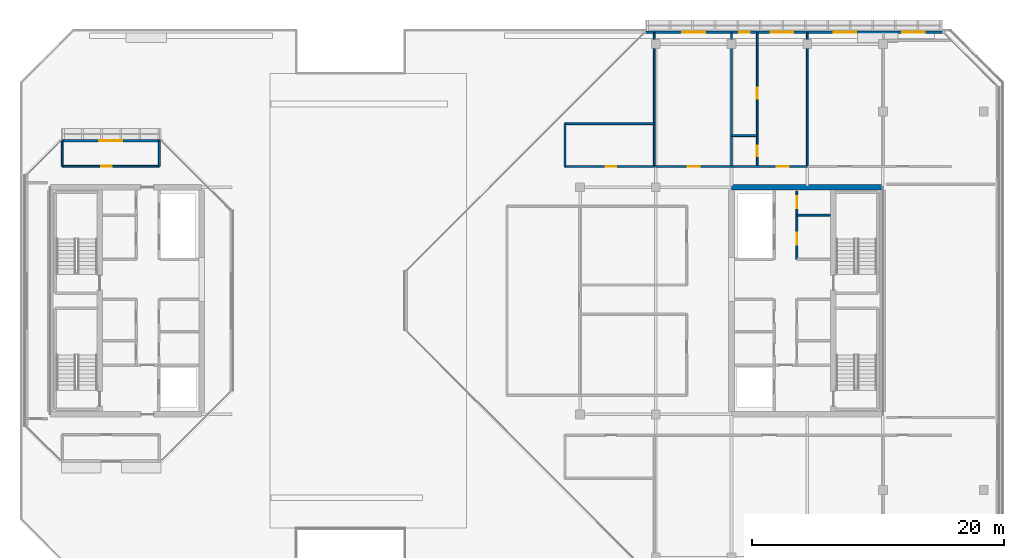
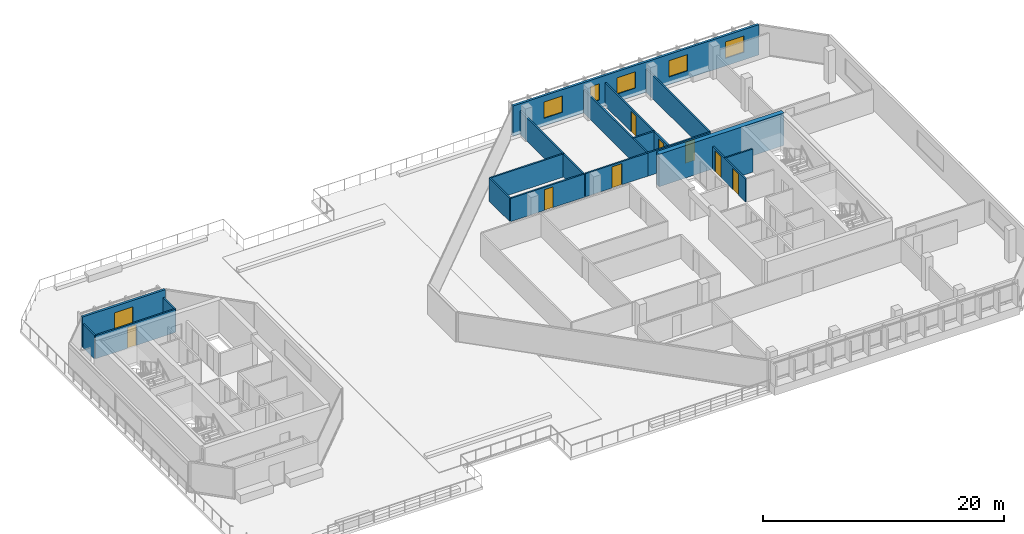
# One storey, part 23 of 30: 18 walls, 8 doors, 6 windows, 14 openings.
"""IFC4 building model written with IfcOpenShell, lengths in metres."""

from ifc_helpers import new_model, si_unit, direction, frame, frame_2d, origin, place, context, subcontext, project, spatial, rectangle, extrude, material, layer, layer_set, type_object, element, fill, save


model = new_model("IFC4")

# Units and contexts
model_context = context("Model", 3, precision=1e-05, world=origin(), true_north=direction((0.0, 1.0)))
body_context = subcontext(model_context, "Body", "Model", "MODEL_VIEW")
ifc_project = project(units=[si_unit("LENGTHUNIT", "METRE"), si_unit("AREAUNIT", "SQUARE_METRE"), si_unit("VOLUMEUNIT", "CUBIC_METRE"), si_unit("PLANEANGLEUNIT", "RADIAN"), si_unit("MASSUNIT", "GRAM", prefix="KILO")], contexts=[model_context])

# Site, building, storey
site_placement = place(None, origin())
site = spatial("IfcSite", under=ifc_project, at=site_placement, CompositionType="ELEMENT")
building_placement = place(site_placement, origin())
building = spatial("IfcBuilding", under=site, at=building_placement, Name="Tanjung Sevakor Pilgrim Tower", CompositionType="ELEMENT")
storey_placement = place(building_placement, frame((0.0, 0.0, 229.35009765625)))
storey = spatial("IfcBuildingStorey", under=building, at=storey_placement, Name="L64", CompositionType="ELEMENT", Elevation=229.35009765625)

# Walls
ifc_material_1 = material(Name="Concrete C60/75", Category="concrete")
ifc_layer_1 = layer(ifc_material_1, 0.449951171875)
ifc_layer_set_1 = layer_set([ifc_layer_1], Name="WALL-CW-450")
wall_type_1 = type_object("IfcWallType", Name="WALL-CW-450", PredefinedType="SHEAR", material=ifc_layer_set_1)
wall_1_placement = place(storey_placement, frame((90.0, 42.60009765625, 0.0), z_axis=(0.0, 0.0, 1.0), x_axis=(-1.0, 0.0, 0.0)))
element("IfcWall", 1, at=wall_1_placement, inside=storey, type_object=wall_type_1, Name="L64 E Core North Shear Wall", PredefinedType="SHEAR", context=body_context, shape_type="SweptSolid", body=[
    extrude(rectangle(XDim=12.0, YDim=0.449951171875, at=frame_2d((6.0, 0.0))), origin(), (0.0, 0.0, 1.0), 3.2998046875),
])
ifc_material_2 = material(Name="Concrete C40/50", Category="concrete")
ifc_layer_2 = layer(ifc_material_2, 0.14990234375)
ifc_layer_set_2 = layer_set([ifc_layer_2], Name="WT-COMP-150")
wall_type_2 = type_object("IfcWallType", Name="WT-COMP-150", PredefinedType="SOLIDWALL", material=ifc_layer_set_2)
wall_2_placement = place(storey_placement, frame((83.199951171875, 40.389892578125, 0.0), z_axis=(0.0, 0.0, 1.0), x_axis=(1.0, 0.0, 0.0)))
element("IfcWall", 2, at=wall_2_placement, inside=storey, type_object=wall_type_2, Name="L64 Partition IW-L64-023", PredefinedType="SOLIDWALL", context=body_context, shape_type="SweptSolid", body=[
    extrude(rectangle(XDim=2.630126953125, YDim=0.14990234375, at=frame_2d((1.31494140625, 0.0))), origin(), (0.0, 0.0, 1.0), 2.35009765625),
])

# Wall, openings, doors
wall_3_placement = place(storey_placement, frame((83.179931640625, 36.8798828125, 0.0), z_axis=(0.0, 0.0, 1.0), x_axis=(0.0, 1.0, 0.0)))
wall_3 = element("IfcWall", 3, at=wall_3_placement, inside=storey, type_object=wall_type_2, Name="L64 Partition IW-L64-024", PredefinedType="SOLIDWALL", context=body_context, shape_type="SweptSolid", body=[
    extrude(rectangle(XDim=5.420166015625, YDim=0.14990234375, at=frame_2d((2.7099609375, 0.0))), origin(), (0.0, 0.0, 1.0), 2.35009765625),
])
opening_1_placement = place(wall_3_placement, frame((1.14990234375, 0.0, 0.0)))
opening_1 = element("IfcOpeningElement", 4, at=opening_1_placement, cuts=wall_3, Name="Opening ID-FD2", PredefinedType="OPENING", context=body_context, shape_type="SweptSolid", body=[
    extrude(rectangle(XDim=0.949951171875, YDim=2.14990234375, at=frame_2d((0.47509765625, 1.074951171875))), frame((0.0, 0.0849609375, 0.0), z_axis=(0.0, -1.0, 0.0), x_axis=(1.0, 0.0, 0.0)), (0.0, 0.0, 1.0), 0.169921875),
])
opening_2_placement = place(wall_3_placement, frame((4.050048828125, 0.0, 0.0)))
opening_2 = element("IfcOpeningElement", 5, at=opening_2_placement, cuts=wall_3, Name="Opening ID-FD2", PredefinedType="OPENING", context=body_context, shape_type="SweptSolid", body=[
    extrude(rectangle(XDim=0.949951171875, YDim=2.14990234375, at=frame_2d((0.47509765625, 1.074951171875))), frame((0.0, 0.0849609375, 0.0), z_axis=(0.0, -1.0, 0.0), x_axis=(1.0, 0.0, 0.0)), (0.0, 0.0, 1.0), 0.169921875),
])
ifc_material_3 = material(Name="Fire-Rated Timber", Category="wood")
door_type_1 = type_object("IfcDoorType", Name="DT-FIRE-950", OperationType="NOTDEFINED", PredefinedType="DOOR", material=ifc_material_3)
door_1_placement = place(opening_1_placement, origin())
door_1 = element("IfcDoor", 6, at=door_1_placement, inside=storey, type_object=door_type_1, Name="L64 Core Study Room Door", OperationType="SINGLE_SWING_RIGHT", OverallHeight=2.14990234375, OverallWidth=0.949951171875, PredefinedType="DOOR", context=body_context, shape_type="SweptSolid", body=[
    extrude(rectangle(XDim=0.949951171875, YDim=2.14990234375, at=frame_2d((0.47509765625, 1.074951171875))), frame((0.0, 0.02490234375, 0.0), z_axis=(0.0, -1.0, 0.0), x_axis=(1.0, 0.0, 0.0)), (0.0, 0.0, 1.0), 0.050048828125),
])
fill(opening_1, door_1)
door_2_placement = place(opening_2_placement, origin())
door_2 = element("IfcDoor", 7, at=door_2_placement, inside=storey, type_object=door_type_1, Name="L64 Service Store Door", OperationType="SINGLE_SWING_LEFT", OverallHeight=2.14990234375, OverallWidth=0.949951171875, PredefinedType="DOOR", context=body_context, shape_type="SweptSolid", body=[
    extrude(rectangle(XDim=0.949951171875, YDim=2.14990234375, at=frame_2d((0.47509765625, 1.074951171875))), frame((0.0, 0.02490234375, 0.0), z_axis=(0.0, -1.0, 0.0), x_axis=(1.0, 0.0, 0.0)), (0.0, 0.0, 1.0), 0.050048828125),
])
fill(opening_2, door_2)

# Wall, opening, door
wall_4_placement = place(storey_placement, frame((24.949951171875, 44.27001953125, 0.0), z_axis=(0.0, 0.0, 1.0), x_axis=(1.0, 0.0, 0.0)))
wall_4 = element("IfcWall", 8, at=wall_4_placement, inside=storey, type_object=wall_type_2, Name="L64 Partition IW-L64-032", PredefinedType="SOLIDWALL", context=body_context, shape_type="SweptSolid", body=[
    extrude(rectangle(XDim=7.699951171875, YDim=0.14990234375, at=frame_2d((3.85009765625, 0.0))), origin(), (0.0, 0.0, 1.0), 2.35009765625),
])
opening_3_placement = place(wall_4_placement, frame((3.074951171875, 0.0, 0.0)))
opening_3 = element("IfcOpeningElement", 9, at=opening_3_placement, cuts=wall_4, Name="Opening ID-WC1", PredefinedType="OPENING", context=body_context, shape_type="SweptSolid", body=[
    extrude(rectangle(XDim=0.85009765625, YDim=2.10009765625, at=frame_2d((0.425048828125, 1.050048828125))), frame((0.0, 0.0849609375, 0.0), z_axis=(0.0, -1.0, 0.0), x_axis=(1.0, 0.0, 0.0)), (0.0, 0.0, 1.0), 0.169921875),
])
ifc_material_4 = material(Name="Moisture-Resistant Timber", Category="wood")
door_type_2 = type_object("IfcDoorType", Name="DT-INT-850", OperationType="NOTDEFINED", PredefinedType="DOOR", material=ifc_material_4)
door_3_placement = place(opening_3_placement, origin())
door_3 = element("IfcDoor", 10, at=door_3_placement, inside=storey, type_object=door_type_2, Name="L64 West Peak North Observatory Door", OperationType="SINGLE_SWING_RIGHT", OverallHeight=2.10009765625, OverallWidth=0.85009765625, PredefinedType="DOOR", context=body_context, shape_type="SweptSolid", body=[
    extrude(rectangle(XDim=0.85009765625, YDim=2.10009765625, at=frame_2d((0.425048828125, 1.050048828125))), frame((0.0, 0.02490234375, 0.0), z_axis=(0.0, -1.0, 0.0), x_axis=(1.0, 0.0, 0.0)), (0.0, 0.0, 1.0), 0.050048828125),
])
fill(opening_3, door_3)

# Walls
for number, where, z_axis, x_axis, name in (
    (11, (24.949951171875, 44.27001953125, 0.0), (0.0, 0.0, 1.0), (0.0, 1.0, 0.0), "L64 Partition IW-L64-033"),
    (12, (32.64990234375, 44.27001953125, 0.0), (0.0, 0.0, 1.0), (0.0, 1.0, 0.0), "L64 Partition IW-L64-034"),
):
    element("IfcWall", number, at=place(storey_placement, frame(where, z_axis=z_axis, x_axis=x_axis)), inside=storey, type_object=wall_type_2, Name=name, PredefinedType="SOLIDWALL", context=body_context, shape_type="SweptSolid", body=[
        extrude(rectangle(XDim=2.010009765625, YDim=0.14990234375, at=frame_2d((1.0048828125, 0.0))), origin(), (0.0, 0.0, 1.0), 2.35009765625),
    ])

# Wall, opening, door
wall_5_placement = place(storey_placement, frame((64.800048828125, 44.25, 0.0), z_axis=(0.0, 0.0, 1.0), x_axis=(1.0, 0.0, 0.0)))
wall_5 = element("IfcWall", 13, at=wall_5_placement, inside=storey, type_object=wall_type_2, Name="L64 Partition IW-L64-039", PredefinedType="SOLIDWALL", context=body_context, shape_type="SweptSolid", body=[
    extrude(rectangle(XDim=7.079833984375, YDim=0.14990234375, at=frame_2d((3.5400390625, 0.0))), origin(), (0.0, 0.0, 1.0), 2.35009765625),
])
opening_4_placement = place(wall_5_placement, frame((3.22509765625, 0.0, 0.0)))
opening_4 = element("IfcOpeningElement", 14, at=opening_4_placement, cuts=wall_5, Name="Opening ID-WC1", PredefinedType="OPENING", context=body_context, shape_type="SweptSolid", body=[
    extrude(rectangle(XDim=0.85009765625, YDim=2.10009765625, at=frame_2d((0.425048828125, 1.050048828125))), frame((0.0, 0.0849609375, 0.0), z_axis=(0.0, -1.0, 0.0), x_axis=(1.0, 0.0, 0.0)), (0.0, 0.0, 1.0), 0.169921875),
])
door_4_placement = place(opening_4_placement, origin())
door_4 = element("IfcDoor", 15, at=door_4_placement, inside=storey, type_object=door_type_2, Name="L64 NW Crown Library Door", OperationType="SINGLE_SWING_RIGHT", OverallHeight=2.10009765625, OverallWidth=0.85009765625, PredefinedType="DOOR", context=body_context, shape_type="SweptSolid", body=[
    extrude(rectangle(XDim=0.85009765625, YDim=2.10009765625, at=frame_2d((0.425048828125, 1.050048828125))), frame((0.0, 0.02490234375, 0.0), z_axis=(0.0, -1.0, 0.0), x_axis=(1.0, 0.0, 0.0)), (0.0, 0.0, 1.0), 0.050048828125),
])
fill(opening_4, door_4)

# Walls
wall_6_placement = place(storey_placement, frame((64.800048828125, 47.64990234375, 0.0), z_axis=(0.0, 0.0, 1.0), x_axis=(1.0, 0.0, 0.0)))
element("IfcWall", 16, at=wall_6_placement, inside=storey, type_object=wall_type_2, Name="L64 Partition IW-L64-040", PredefinedType="SOLIDWALL", context=body_context, shape_type="SweptSolid", body=[
    extrude(rectangle(XDim=7.079833984375, YDim=0.14990234375, at=frame_2d((3.5400390625, 0.0))), origin(), (0.0, 0.0, 1.0), 2.35009765625),
])
wall_7_placement = place(storey_placement, frame((64.800048828125, 44.25, 0.0), z_axis=(0.0, 0.0, 1.0), x_axis=(0.0, 1.0, 0.0)))
element("IfcWall", 17, at=wall_7_placement, inside=storey, type_object=wall_type_2, Name="L64 Partition IW-L64-041", PredefinedType="SOLIDWALL", context=body_context, shape_type="SweptSolid", body=[
    extrude(rectangle(XDim=3.39990234375, YDim=0.14990234375, at=frame_2d((1.699951171875, 0.0))), origin(), (0.0, 0.0, 1.0), 2.35009765625),
])
for number, where, z_axis, x_axis, name in (
    (18, (71.8798828125, 44.25, 0.0), (0.0, 0.0, 1.0), (0.0, 1.0, 0.0), "L64 Partition IW-L64-042"),
    (19, (78.0, 44.25, 0.0), (0.0, 0.0, 1.0), (0.0, 1.0, 0.0), "L64 Partition IW-L64-052"),
):
    element("IfcWall", number, at=place(storey_placement, frame(where, z_axis=z_axis, x_axis=x_axis)), inside=storey, type_object=wall_type_2, Name=name, PredefinedType="SOLIDWALL", context=body_context, shape_type="SweptSolid", body=[
        extrude(rectangle(XDim=10.610107421875, YDim=0.14990234375, at=frame_2d((5.30517578125, 0.0))), origin(), (0.0, 0.0, 1.0), 2.35009765625),
    ])

# Wall, opening, door
wall_8_placement = place(storey_placement, frame((72.0, 44.25, 0.0), z_axis=(0.0, 0.0, 1.0), x_axis=(1.0, 0.0, 0.0)))
wall_8 = element("IfcWall", 20, at=wall_8_placement, inside=storey, type_object=wall_type_2, Name="L64 Partition IW-L64-053", PredefinedType="SOLIDWALL", context=body_context, shape_type="SweptSolid", body=[
    extrude(rectangle(XDim=6.0, YDim=0.14990234375, at=frame_2d((3.0, 0.0))), origin(), (0.0, 0.0, 1.0), 2.35009765625),
])
opening_5_placement = place(wall_8_placement, frame((2.52490234375, 0.0, 0.0)))
opening_5 = element("IfcOpeningElement", 21, at=opening_5_placement, cuts=wall_8, Name="Opening ID-FD2", PredefinedType="OPENING", context=body_context, shape_type="SweptSolid", body=[
    extrude(rectangle(XDim=0.949951171875, YDim=2.14990234375, at=frame_2d((0.47509765625, 1.074951171875))), frame((0.0, 0.0849609375, 0.0), z_axis=(0.0, -1.0, 0.0), x_axis=(1.0, 0.0, 0.0)), (0.0, 0.0, 1.0), 0.169921875),
])
door_5_placement = place(opening_5_placement, origin())
door_5 = element("IfcDoor", 22, at=door_5_placement, inside=storey, type_object=door_type_1, Name="Housekeeping Pantry Door", OperationType="SINGLE_SWING_LEFT", OverallHeight=2.14990234375, OverallWidth=0.949951171875, PredefinedType="DOOR", context=body_context, shape_type="SweptSolid", body=[
    extrude(rectangle(XDim=0.949951171875, YDim=2.14990234375, at=frame_2d((0.47509765625, 1.074951171875))), frame((0.0, 0.02490234375, 0.0), z_axis=(0.0, -1.0, 0.0), x_axis=(1.0, 0.0, 0.0)), (0.0, 0.0, 1.0), 0.050048828125),
])
fill(opening_5, door_5)

# Wall
wall_9_placement = place(storey_placement, frame((84.0, 44.25, 0.0), z_axis=(0.0, 0.0, 1.0), x_axis=(0.0, 1.0, 0.0)))
element("IfcWall", 23, at=wall_9_placement, inside=storey, type_object=wall_type_2, Name="L64 Partition IW-L64-054", PredefinedType="SOLIDWALL", context=body_context, shape_type="SweptSolid", body=[
    extrude(rectangle(XDim=10.610107421875, YDim=0.14990234375, at=frame_2d((5.30517578125, 0.0))), origin(), (0.0, 0.0, 1.0), 2.35009765625),
])

# Wall, opening, door
wall_10_placement = place(storey_placement, frame((78.0, 44.25, 0.0), z_axis=(0.0, 0.0, 1.0), x_axis=(1.0, 0.0, 0.0)))
wall_10 = element("IfcWall", 24, at=wall_10_placement, inside=storey, type_object=wall_type_2, Name="L64 Partition IW-L64-057", PredefinedType="SOLIDWALL", context=body_context, shape_type="SweptSolid", body=[
    extrude(rectangle(XDim=6.0, YDim=0.14990234375, at=frame_2d((3.0, 0.0))), origin(), (0.0, 0.0, 1.0), 2.35009765625),
])
opening_6_placement = place(wall_10_placement, frame((3.5849609375, 0.0, 0.0)))
opening_6 = element("IfcOpeningElement", 25, at=opening_6_placement, cuts=wall_10, Name="Opening ID-FD2", PredefinedType="OPENING", context=body_context, shape_type="SweptSolid", body=[
    extrude(rectangle(XDim=0.949951171875, YDim=2.14990234375, at=frame_2d((0.47509765625, 1.074951171875))), frame((0.0, 0.0849609375, 0.0), z_axis=(0.0, -1.0, 0.0), x_axis=(1.0, 0.0, 0.0)), (0.0, 0.0, 1.0), 0.169921875),
])
door_6_placement = place(opening_6_placement, origin())
door_6 = element("IfcDoor", 26, at=door_6_placement, inside=storey, type_object=door_type_1, Name="Hotel Guestroom Entrance", OperationType="SINGLE_SWING_RIGHT", OverallHeight=2.14990234375, OverallWidth=0.949951171875, PredefinedType="DOOR", context=body_context, shape_type="SweptSolid", body=[
    extrude(rectangle(XDim=0.949951171875, YDim=2.14990234375, at=frame_2d((0.47509765625, 1.074951171875))), frame((0.0, 0.02490234375, 0.0), z_axis=(0.0, -1.0, 0.0), x_axis=(1.0, 0.0, 0.0)), (0.0, 0.0, 1.0), 0.050048828125),
])
fill(opening_6, door_6)

# Wall, opening, window
ifc_material_5 = material(Name="Precast concrete C45/55", Category="concrete")
ifc_layer_3 = layer(ifc_material_5, 0.219970703125)
ifc_layer_set_3 = layer_set([ifc_layer_3], Name="WT-EW-STN4")
wall_type_3 = type_object("IfcWallType", Name="WT-EW-STN4", PredefinedType="SOLIDWALL", material=ifc_layer_set_3)
wall_11_placement = place(storey_placement, frame((32.804443359375, 46.2900390625, 0.0), z_axis=(0.0, 0.0, 1.0), x_axis=(-1.0, 0.0, 0.0)))
wall_11 = element("IfcWall", 27, at=wall_11_placement, inside=storey, type_object=wall_type_3, Name="L64 WEST Exterior Wall 5", PredefinedType="SOLIDWALL", context=body_context, shape_type="SweptSolid", body=[
    extrude(rectangle(XDim=7.958740234375, YDim=0.219970703125, at=frame_2d((3.9794921875, 0.0))), origin(), (0.0, 0.0, 1.0), 3.080078125),
])
opening_7_placement = place(wall_11_placement, frame((3.1044921875, 0.0, 0.780029296875)))
opening_7 = element("IfcOpeningElement", 28, at=opening_7_placement, cuts=wall_11, Name="Opening WN-Z3-1660", PredefinedType="OPENING", context=body_context, shape_type="SweptSolid", body=[
    extrude(rectangle(XDim=1.800048828125, YDim=1.659912109375, at=frame_2d((0.89990234375, 0.830078125))), frame((0.0, 0.119873046875, 0.0), z_axis=(0.0, -1.0, 0.0), x_axis=(1.0, 0.0, 0.0)), (0.0, 0.0, 1.0), 0.239990234375),
])
ifc_material_6 = material(Name="Thermally Broken Aluminium and Low-E Glass", Category="aluminium")
window_type_1 = type_object("IfcWindowType", Name="WTYP-WN-Z3-1660", PartitioningType="DOUBLE_PANEL_VERTICAL", PredefinedType="WINDOW", material=ifc_material_6)
window_1_placement = place(opening_7_placement, origin())
window_1 = element("IfcWindow", 29, at=window_1_placement, inside=storey, type_object=window_type_1, Name="L64 Facade Window 01", OverallHeight=1.659912109375, OverallWidth=1.800048828125, PartitioningType="SINGLE_PANEL", PredefinedType="WINDOW", context=body_context, shape_type="SweptSolid", body=[
    extrude(rectangle(XDim=1.800048828125, YDim=1.659912109375, at=frame_2d((0.89990234375, 0.830078125))), frame((0.0, 0.030029296875, 0.0), z_axis=(0.0, -1.0, 0.0), x_axis=(1.0, 0.0, 0.0)), (0.0, 0.0, 1.0), 0.06005859375),
])
fill(opening_7, window_1)

# Wall, openings, windows
wall_12_placement = place(storey_placement, frame((94.75439453125, 54.889892578125, 0.0), z_axis=(0.0, 0.0, 1.0), x_axis=(-1.0, 0.0, 0.0)))
wall_12 = element("IfcWall", 30, at=wall_12_placement, inside=storey, type_object=wall_type_3, Name="L64 EAST Exterior Wall 5", PredefinedType="SOLIDWALL", context=body_context, shape_type="SweptSolid", body=[
    extrude(rectangle(XDim=23.60888671875, YDim=0.219970703125, at=frame_2d((11.804443359375, 0.0))), origin(), (0.0, 0.0, 1.0), 3.080078125),
])
opening_8_placement = place(wall_12_placement, frame((1.42724609375, 0.0, 0.780029296875)))
opening_8 = element("IfcOpeningElement", 31, at=opening_8_placement, cuts=wall_12, Name="Opening WN-Z3-1660", PredefinedType="OPENING", context=body_context, shape_type="SweptSolid", body=[
    extrude(rectangle(XDim=1.800048828125, YDim=1.659912109375, at=frame_2d((0.89990234375, 0.830078125))), frame((0.0, 0.119873046875, 0.0), z_axis=(0.0, -1.0, 0.0), x_axis=(1.0, 0.0, 0.0)), (0.0, 0.0, 1.0), 0.239990234375),
])
opening_9_placement = place(wall_12_placement, frame((18.8544921875, 0.0, 0.780029296875)))
opening_9 = element("IfcOpeningElement", 32, at=opening_9_placement, cuts=wall_12, Name="Opening WN-Z3-1660", PredefinedType="OPENING", context=body_context, shape_type="SweptSolid", body=[
    extrude(rectangle(XDim=1.800048828125, YDim=1.659912109375, at=frame_2d((0.89990234375, 0.830078125))), frame((0.0, 0.119873046875, 0.0), z_axis=(0.0, -1.0, 0.0), x_axis=(1.0, 0.0, 0.0)), (0.0, 0.0, 1.0), 0.239990234375),
])
opening_10_placement = place(wall_12_placement, frame((15.29931640625, 0.0, 0.780029296875)))
opening_10 = element("IfcOpeningElement", 33, at=opening_10_placement, cuts=wall_12, Name="Opening WN-SLM", PredefinedType="OPENING", context=body_context, shape_type="SweptSolid", body=[
    extrude(rectangle(XDim=0.85009765625, YDim=1.64990234375, at=frame_2d((0.425048828125, 0.824951171875))), frame((0.0, 0.119873046875, 0.0), z_axis=(0.0, -1.0, 0.0), x_axis=(1.0, 0.0, 0.0)), (0.0, 0.0, 1.0), 0.239990234375),
])
opening_11_placement = place(wall_12_placement, frame((11.844482421875, 0.0, 0.780029296875)))
opening_11 = element("IfcOpeningElement", 34, at=opening_11_placement, cuts=wall_12, Name="Opening WN-Z3-1660", PredefinedType="OPENING", context=body_context, shape_type="SweptSolid", body=[
    extrude(rectangle(XDim=1.800048828125, YDim=1.659912109375, at=frame_2d((0.89990234375, 0.830078125))), frame((0.0, 0.119873046875, 0.0), z_axis=(0.0, -1.0, 0.0), x_axis=(1.0, 0.0, 0.0)), (0.0, 0.0, 1.0), 0.239990234375),
])
opening_12_placement = place(wall_12_placement, frame((6.8544921875, 0.0, 0.780029296875)))
opening_12 = element("IfcOpeningElement", 35, at=opening_12_placement, cuts=wall_12, Name="Opening WN-Z3-1660", PredefinedType="OPENING", context=body_context, shape_type="SweptSolid", body=[
    extrude(rectangle(XDim=1.800048828125, YDim=1.659912109375, at=frame_2d((0.89990234375, 0.830078125))), frame((0.0, 0.119873046875, 0.0), z_axis=(0.0, -1.0, 0.0), x_axis=(1.0, 0.0, 0.0)), (0.0, 0.0, 1.0), 0.239990234375),
])
ifc_material_7 = material(Name="Thermally Broken Aluminium and Low-E Glass", Category="aluminium")
window_type_2 = type_object("IfcWindowType", Name="WTYP-WN-SLM", PartitioningType="SINGLE_PANEL", PredefinedType="WINDOW", material=ifc_material_7)
window_2_placement = place(opening_10_placement, origin())
window_2 = element("IfcWindow", 36, at=window_2_placement, inside=storey, type_object=window_type_2, Name="L64 Facade Window 03", OverallHeight=1.64990234375, OverallWidth=0.85009765625, PartitioningType="SINGLE_PANEL", PredefinedType="WINDOW", context=body_context, shape_type="SweptSolid", body=[
    extrude(rectangle(XDim=0.85009765625, YDim=1.64990234375, at=frame_2d((0.425048828125, 0.824951171875))), frame((0.0, 0.030029296875, 0.0), z_axis=(0.0, -1.0, 0.0), x_axis=(1.0, 0.0, 0.0)), (0.0, 0.0, 1.0), 0.06005859375),
])
fill(opening_10, window_2)
window_3_placement = place(opening_8_placement, origin())
window_3 = element("IfcWindow", 37, at=window_3_placement, inside=storey, type_object=window_type_1, Name="L64 Facade Window 01", OverallHeight=1.659912109375, OverallWidth=1.800048828125, PartitioningType="SINGLE_PANEL", PredefinedType="WINDOW", context=body_context, shape_type="SweptSolid", body=[
    extrude(rectangle(XDim=1.800048828125, YDim=1.659912109375, at=frame_2d((0.89990234375, 0.830078125))), frame((0.0, 0.030029296875, 0.0), z_axis=(0.0, -1.0, 0.0), x_axis=(1.0, 0.0, 0.0)), (0.0, 0.0, 1.0), 0.06005859375),
])
fill(opening_8, window_3)
window_4_placement = place(opening_9_placement, origin())
window_4 = element("IfcWindow", 38, at=window_4_placement, inside=storey, type_object=window_type_1, Name="L64 Facade Window 02", OverallHeight=1.659912109375, OverallWidth=1.800048828125, PartitioningType="SINGLE_PANEL", PredefinedType="WINDOW", context=body_context, shape_type="SweptSolid", body=[
    extrude(rectangle(XDim=1.800048828125, YDim=1.659912109375, at=frame_2d((0.89990234375, 0.830078125))), frame((0.0, 0.030029296875, 0.0), z_axis=(0.0, -1.0, 0.0), x_axis=(1.0, 0.0, 0.0)), (0.0, 0.0, 1.0), 0.06005859375),
])
fill(opening_9, window_4)
window_5_placement = place(opening_11_placement, origin())
window_5 = element("IfcWindow", 39, at=window_5_placement, inside=storey, type_object=window_type_1, Name="L64 Facade Window 04", OverallHeight=1.659912109375, OverallWidth=1.800048828125, PartitioningType="SINGLE_PANEL", PredefinedType="WINDOW", context=body_context, shape_type="SweptSolid", body=[
    extrude(rectangle(XDim=1.800048828125, YDim=1.659912109375, at=frame_2d((0.89990234375, 0.830078125))), frame((0.0, 0.030029296875, 0.0), z_axis=(0.0, -1.0, 0.0), x_axis=(1.0, 0.0, 0.0)), (0.0, 0.0, 1.0), 0.06005859375),
])
fill(opening_11, window_5)
window_6_placement = place(opening_12_placement, origin())
window_6 = element("IfcWindow", 40, at=window_6_placement, inside=storey, type_object=window_type_1, Name="L64 Facade Window 05", OverallHeight=1.659912109375, OverallWidth=1.800048828125, PartitioningType="SINGLE_PANEL", PredefinedType="WINDOW", context=body_context, shape_type="SweptSolid", body=[
    extrude(rectangle(XDim=1.800048828125, YDim=1.659912109375, at=frame_2d((0.89990234375, 0.830078125))), frame((0.0, 0.030029296875, 0.0), z_axis=(0.0, -1.0, 0.0), x_axis=(1.0, 0.0, 0.0)), (0.0, 0.0, 1.0), 0.06005859375),
])
fill(opening_12, window_6)

# Wall
ifc_material_8 = material(Name="Gypsum Board Partition", Category="gypsum board")
ifc_layer_4 = layer(ifc_material_8, 0.14990234375)
ifc_layer_set_4 = layer_set([ifc_layer_4], Name="WT-PART-150")
wall_type_4 = type_object("IfcWallType", Name="WT-PART-150", PredefinedType="PARTITIONING", material=ifc_layer_set_4)
wall_13_placement = place(storey_placement, frame((78.0, 46.699951171875, 0.0), z_axis=(0.0, 0.0, 1.0), x_axis=(1.0, 0.0, 0.0)))
element("IfcWall", 41, at=wall_13_placement, inside=storey, type_object=wall_type_4, Name="L64 Partition IW-L64-055", PredefinedType="PARTITIONING", context=body_context, shape_type="SweptSolid", body=[
    extrude(rectangle(XDim=2.0400390625, YDim=0.14990234375, at=frame_2d((1.02001953125, 0.0))), origin(), (0.0, 0.0, 1.0), 2.35009765625),
])

# Wall, openings, doors
wall_14_placement = place(storey_placement, frame((80.0400390625, 44.25, 0.0), z_axis=(0.0, 0.0, 1.0), x_axis=(0.0, 1.0, 0.0)))
wall_14 = element("IfcWall", 42, at=wall_14_placement, inside=storey, type_object=wall_type_4, Name="L64 Partition IW-L64-056", PredefinedType="PARTITIONING", context=body_context, shape_type="SweptSolid", body=[
    extrude(rectangle(XDim=10.610107421875, YDim=0.14990234375, at=frame_2d((5.30517578125, 0.0))), origin(), (0.0, 0.0, 1.0), 2.35009765625),
])
opening_13_placement = place(wall_14_placement, frame((0.800048828125, 0.0, 0.0)))
opening_13 = element("IfcOpeningElement", 43, at=opening_13_placement, cuts=wall_14, Name="Opening ID-WC1", PredefinedType="OPENING", context=body_context, shape_type="SweptSolid", body=[
    extrude(rectangle(XDim=0.85009765625, YDim=2.10009765625, at=frame_2d((0.425048828125, 1.050048828125))), frame((0.0, 0.0849609375, 0.0), z_axis=(0.0, -1.0, 0.0), x_axis=(1.0, 0.0, 0.0)), (0.0, 0.0, 1.0), 0.169921875),
])
opening_14_placement = place(wall_14_placement, frame((5.3740234375, 0.0, 0.0)))
opening_14 = element("IfcOpeningElement", 44, at=opening_14_placement, cuts=wall_14, Name="Opening ID-WC1", PredefinedType="OPENING", context=body_context, shape_type="SweptSolid", body=[
    extrude(rectangle(XDim=0.85009765625, YDim=2.10009765625, at=frame_2d((0.425048828125, 1.050048828125))), frame((0.0, 0.0849609375, 0.0), z_axis=(0.0, -1.0, 0.0), x_axis=(1.0, 0.0, 0.0)), (0.0, 0.0, 1.0), 0.169921875),
])
door_7_placement = place(opening_13_placement, origin())
door_7 = element("IfcDoor", 45, at=door_7_placement, inside=storey, type_object=door_type_2, Name="Bathroom Door", OperationType="SINGLE_SWING_RIGHT", OverallHeight=2.10009765625, OverallWidth=0.85009765625, PredefinedType="DOOR", context=body_context, shape_type="SweptSolid", body=[
    extrude(rectangle(XDim=0.85009765625, YDim=2.10009765625, at=frame_2d((0.425048828125, 1.050048828125))), frame((0.0, 0.02490234375, 0.0), z_axis=(0.0, -1.0, 0.0), x_axis=(1.0, 0.0, 0.0)), (0.0, 0.0, 1.0), 0.050048828125),
])
fill(opening_13, door_7)
door_8_placement = place(opening_14_placement, origin())
door_8 = element("IfcDoor", 46, at=door_8_placement, inside=storey, type_object=door_type_2, Name="Study Nook Door", OperationType="SINGLE_SWING_LEFT", OverallHeight=2.10009765625, OverallWidth=0.85009765625, PredefinedType="DOOR", context=body_context, shape_type="SweptSolid", body=[
    extrude(rectangle(XDim=0.85009765625, YDim=2.10009765625, at=frame_2d((0.425048828125, 1.050048828125))), frame((0.0, 0.02490234375, 0.0), z_axis=(0.0, -1.0, 0.0), x_axis=(1.0, 0.0, 0.0)), (0.0, 0.0, 1.0), 0.050048828125),
])
fill(opening_14, door_8)

save(model, "model.ifc")
